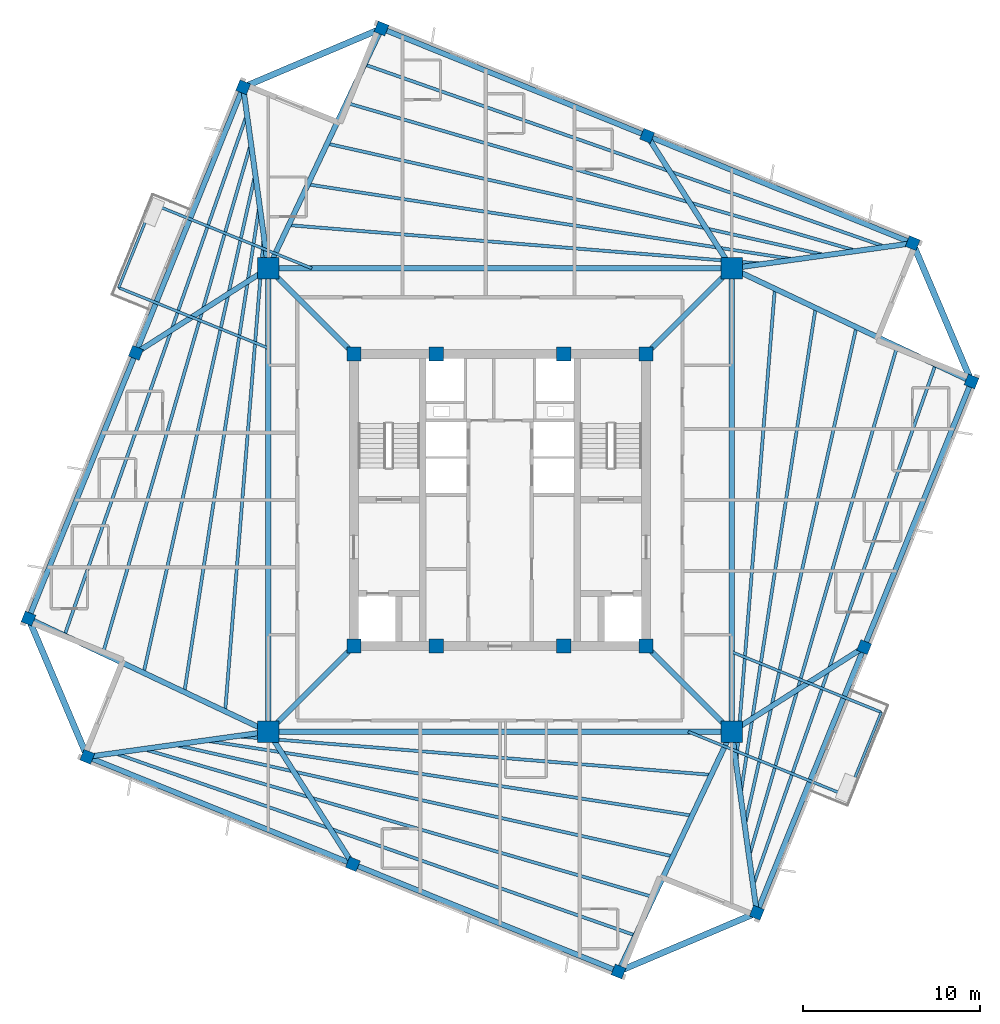
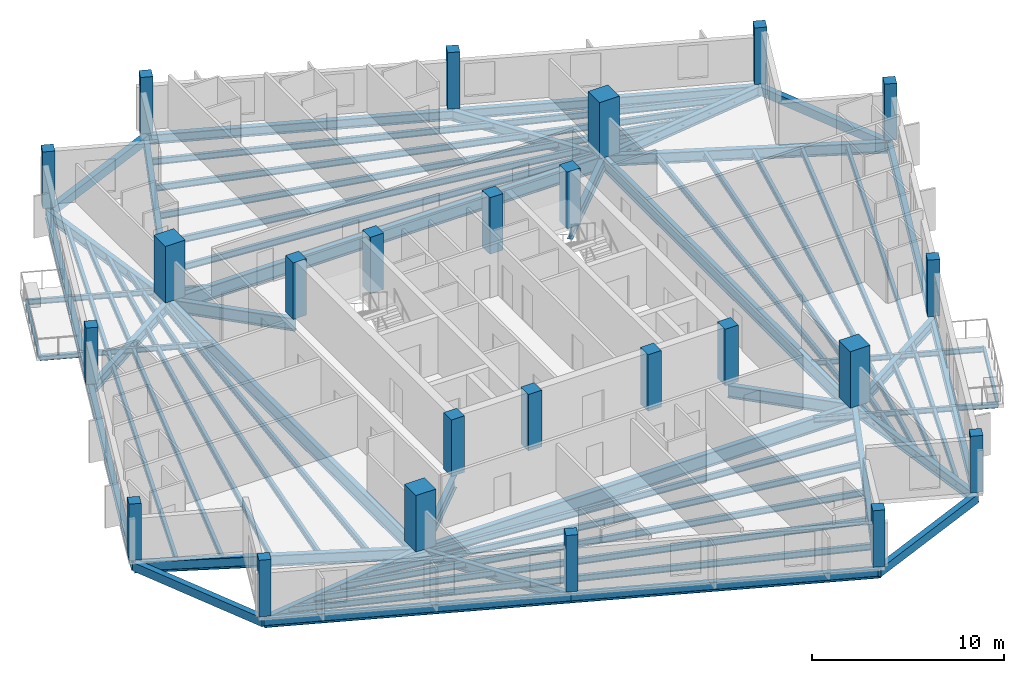
# One storey, part 1 of 9: 58 beams, 24 columns.
"""IFC4 building model written with IfcOpenShell, lengths in metres."""

from ifc_helpers import new_model, si_unit, direction, frame, origin, origin_2d, place, context, subcontext, project, spatial, rectangle, i_section, extrude, source, transform, mapped, material, material_profile, profile_set, type_object, element, save


model = new_model("IFC4")

# Units and contexts
model_context = context("Model", 3, precision=1e-05, world=origin(), true_north=direction((0.0, 1.0)))
body_context = subcontext(model_context, "Body", "Model", "MODEL_VIEW")
ifc_project = project(units=[si_unit("LENGTHUNIT", "METRE"), si_unit("AREAUNIT", "SQUARE_METRE"), si_unit("VOLUMEUNIT", "CUBIC_METRE"), si_unit("PLANEANGLEUNIT", "RADIAN"), si_unit("MASSUNIT", "GRAM", prefix="KILO"), si_unit("THERMODYNAMICTEMPERATUREUNIT", "KELVIN")], contexts=[model_context])

# Site, building, storey
site_placement = place(None, origin())
site = spatial("IfcSite", under=ifc_project, at=site_placement, CompositionType="ELEMENT")
building_placement = place(site_placement, origin())
building = spatial("IfcBuilding", under=site, at=building_placement, Name="Kosmvard Interchange Tower", CompositionType="ELEMENT")
storey_placement = place(building_placement, frame((0.0, 0.0, 283.199951171875)))
storey = spatial("IfcBuildingStorey", under=building, at=storey_placement, Name="L69", CompositionType="ELEMENT", Elevation=283.199951171875)

# Columns
ifc_material_1 = material(Name="Concrete C50/60", Category="concrete")
ifc_material_profile_1 = material_profile(ifc_material_1, rectangle(XDim=0.800048828125, YDim=0.800048828125, at=origin_2d()), Name="CP 800x800")
ifc_profile_set_1 = profile_set([ifc_material_profile_1], Name="Concrete C50/60")
column_type_1 = type_object("IfcColumnType", Name="Core Boundary Pilaster 800x800 C50/60", PredefinedType="PILASTER", material=ifc_profile_set_1)
shared_shape_1 = source(origin(), body_context, "Body", "SweptSolid", [
    extrude(rectangle(XDim=0.800048828125, YDim=0.800048828125, at=origin_2d()), origin(), (0.0, 0.0, 1.0), 3.60009765625),
])
for number, where, z_axis, x_axis, name in (
    (1, (-8.25, -8.25, 0.0), (0.0, 0.0, 1.0), (1.0, 0.0, 0.0), "L69 Core Pilaster CP1"),
    (2, (8.25, -8.25, 0.0), (0.0, 0.0, 1.0), (1.0, 0.0, 0.0), "L69 Core Pilaster CP2"),
    (3, (8.25, 8.25, 0.0), (0.0, 0.0, 1.0), (1.0, 0.0, 0.0), "L69 Core Pilaster CP3"),
    (4, (-8.25, 8.25, 0.0), (0.0, 0.0, 1.0), (1.0, 0.0, 0.0), "L69 Core Pilaster CP4"),
    (5, (-3.60009765625, -8.25, 0.0), (0.0, 0.0, 1.0), (1.0, 0.0, 0.0), "L69 Core Pilaster CP5"),
    (6, (3.60009765625, -8.25, 0.0), (0.0, 0.0, 1.0), (1.0, 0.0, 0.0), "L69 Core Pilaster CP6"),
    (7, (-3.60009765625, 8.25, 0.0), (0.0, 0.0, 1.0), (1.0, 0.0, 0.0), "L69 Core Pilaster CP7"),
    (8, (3.60009765625, 8.25, 0.0), (0.0, 0.0, 1.0), (1.0, 0.0, 0.0), "L69 Core Pilaster CP8"),
):
    element("IfcColumn", number, at=place(storey_placement, frame(where, z_axis=z_axis, x_axis=x_axis)), inside=storey, type_object=column_type_1, Name=name, PredefinedType="PILASTER", context=body_context, shape_type="MappedRepresentation", body=[
        mapped(shared_shape_1, transform((0.0, 0.0, 0.0), scale=1.0)),
    ])
ifc_material_profile_2 = material_profile(ifc_material_1, rectangle(XDim=1.199951171875, YDim=1.199951171875, at=origin_2d()), Name="MC 1200x1200")
ifc_profile_set_2 = profile_set([ifc_material_profile_2], Name="Concrete C50/60")
column_type_2 = type_object("IfcColumnType", Name="Composite Mega-Column 1200x1200 C50/60", PredefinedType="COLUMN", material=ifc_profile_set_2)
shared_shape_2 = source(origin(), body_context, "Body", "SweptSolid", [
    extrude(rectangle(XDim=1.199951171875, YDim=1.199951171875, at=origin_2d()), origin(), (0.0, 0.0, 1.0), 3.60009765625),
])
for number, where, z_axis, x_axis, name in (
    (9, (-13.0810546875, -13.0810546875, 0.0), (0.0, 0.0, 1.0), (1.0, 0.0, 0.0), "L69 Corner Mega-Column MC1"),
    (10, (13.0810546875, -13.0810546875, 0.0), (0.0, 0.0, 1.0), (1.0, 0.0, 0.0), "L69 Corner Mega-Column MC2"),
    (11, (13.0810546875, 13.0810546875, 0.0), (0.0, 0.0, 1.0), (1.0, 0.0, 0.0), "L69 Corner Mega-Column MC3"),
    (12, (-13.0810546875, 13.0810546875, 0.0), (0.0, 0.0, 1.0), (1.0, 0.0, 0.0), "L69 Corner Mega-Column MC4"),
):
    element("IfcColumn", number, at=place(storey_placement, frame(where, z_axis=z_axis, x_axis=x_axis)), inside=storey, type_object=column_type_2, Name=name, PredefinedType="COLUMN", context=body_context, shape_type="MappedRepresentation", body=[
        mapped(shared_shape_2, transform((0.0, 0.0, 0.0), scale=1.0)),
    ])
ifc_material_profile_3 = material_profile(ifc_material_1, rectangle(XDim=0.64990234375, YDim=0.64990234375, at=origin_2d()), Name="TC 650x650")
ifc_profile_set_3 = profile_set([ifc_material_profile_3], Name="Concrete C50/60")
column_type_3 = type_object("IfcColumnType", Name="Zone 5 Perimeter Pier Column 650x650 C50/60", PredefinedType="COLUMN", material=ifc_profile_set_3)
shared_shape_3 = source(origin(), body_context, "Body", "SweptSolid", [
    extrude(rectangle(XDim=0.64990234375, YDim=0.64990234375, at=origin_2d()), origin(), (0.0, 0.0, 1.0), 3.60009765625),
])
for number, where, z_axis, x_axis, name in (
    (13, (14.5009765625, -23.30419921875, 0.0), (0.0, 0.0, 1.0), (0.374606593416, 0.927183854567, 0.0), "L69 Perimeter Pier Column TC-S1"),
    (14, (20.560302734375, -8.306884765625, 0.0), (0.0, 0.0, 1.0), (0.374606593416, 0.927183854567, 0.0), "L69 Perimeter Pier Column TC-S2"),
    (15, (26.61962890625, 6.690185546875, 0.0), (0.0, 0.0, 1.0), (0.374606593416, 0.927183854567, 0.0), "L69 Perimeter Pier Column TC-S3"),
    (16, (23.30419921875, 14.5009765625, 0.0), (0.0, 0.0, 1.0), (0.374606593416, 0.927183854567, 0.0), "L69 Perimeter Pier Column TC-E1"),
    (17, (8.306884765625, 20.560302734375, 0.0), (0.0, 0.0, 1.0), (0.374606593416, 0.927183854567, 0.0), "L69 Perimeter Pier Column TC-E2"),
    (18, (-6.690185546875, 26.61962890625, 0.0), (0.0, 0.0, 1.0), (0.374606593416, 0.927183854567, 0.0), "L69 Perimeter Pier Column TC-E3"),
    (19, (-14.5009765625, 23.30419921875, 0.0), (0.0, 0.0, 1.0), (0.374606593416, 0.927183854567, 0.0), "L69 Perimeter Pier Column TC-N1"),
    (20, (-20.560302734375, 8.306884765625, 0.0), (0.0, 0.0, 1.0), (0.374606593416, 0.927183854567, 0.0), "L69 Perimeter Pier Column TC-N2"),
    (21, (-26.61962890625, -6.690185546875, 0.0), (0.0, 0.0, 1.0), (0.374606593416, 0.927183854567, 0.0), "L69 Perimeter Pier Column TC-N3"),
    (22, (-23.30419921875, -14.5009765625, 0.0), (0.0, 0.0, 1.0), (0.374606593416, 0.927183854567, 0.0), "L69 Perimeter Pier Column TC-W1"),
    (23, (-8.306884765625, -20.560302734375, 0.0), (0.0, 0.0, 1.0), (0.374606593416, 0.927183854567, 0.0), "L69 Perimeter Pier Column TC-W2"),
    (24, (6.690185546875, -26.61962890625, 0.0), (0.0, 0.0, 1.0), (0.374606593416, 0.927183854567, 0.0), "L69 Perimeter Pier Column TC-W3"),
):
    element("IfcColumn", number, at=place(storey_placement, frame(where, z_axis=z_axis, x_axis=x_axis)), inside=storey, type_object=column_type_3, Name=name, PredefinedType="COLUMN", context=body_context, shape_type="MappedRepresentation", body=[
        mapped(shared_shape_3, transform((0.0, 0.0, 0.0), scale=1.0)),
    ])

# Beams
ifc_material_2 = material(Name="Steel S355", Category="steel")
ifc_material_profile_4 = material_profile(ifc_material_2, i_section(OverallWidth=0.14990234375, OverallDepth=0.300048828125, WebThickness=0.007080078125, FlangeThickness=0.0107421875, FilletRadius=0.014892578125, at=origin_2d()), Name="IPE 300")
ifc_profile_set_4 = profile_set([ifc_material_profile_4], Name="Steel S355")
beam_type_1 = type_object("IfcBeamType", Name="Balcony Edge Header Joist IPE 300 S355", PredefinedType="JOIST", material=ifc_profile_set_4)
shared_shape_4 = source(origin(), body_context, "Body", "SweptSolid", [
    extrude(i_section(OverallWidth=0.14990234375, OverallDepth=0.300048828125, WebThickness=0.007080078125, FlangeThickness=0.0107421875, FilletRadius=0.014892578125, at=origin_2d()), origin(), (0.0, 0.0, 1.0), 5.099853515625),
])
for number, where, z_axis, x_axis, name in (
    (25, (-19.61669921875, 16.715576171875, -0.39990234375), (-0.374599188035, -0.9271868465, 0.0), (0.9271868465, -0.374599188035, 0.0), "BM-L69-BJH1"),
    (26, (19.61669921875, -16.715576171875, -0.39990234375), (0.374599188035, 0.9271868465, 0.0), (-0.9271868465, 0.374599188035, 0.0), "BM-L69-BJH2"),
):
    element("IfcBeam", number, at=place(storey_placement, frame(where, z_axis=z_axis, x_axis=x_axis)), inside=storey, type_object=beam_type_1, Name=name, PredefinedType="JOIST", context=body_context, shape_type="MappedRepresentation", body=[
        mapped(shared_shape_4, transform((0.0, 0.0, 0.0), scale=1.0)),
    ])
ifc_material_profile_5 = material_profile(ifc_material_2, i_section(OverallWidth=0.300048828125, OverallDepth=0.800048828125, WebThickness=0.017578125, FlangeThickness=0.032958984375, FilletRadius=0.027099609375, at=origin_2d()), Name="HEB 800")
ifc_profile_set_5 = profile_set([ifc_material_profile_5], Name="Steel S355")
beam_type_2 = type_object("IfcBeamType", Name="Primary Mega-Frame Girder HEB 800 S355", PredefinedType="BEAM", material=ifc_profile_set_5)
shared_shape_5 = source(origin(), body_context, "Body", "SweptSolid", [
    extrude(i_section(OverallWidth=0.300048828125, OverallDepth=0.800048828125, WebThickness=0.017578125, FlangeThickness=0.032958984375, FilletRadius=0.027099609375, at=origin_2d()), origin(), (0.0, 0.0, 1.0), 6.83203125),
])
for number, where, z_axis, x_axis, name in (
    (27, (-8.25, -8.25, -0.64990234375), (-0.707106781187, -0.707106781187, 0.0), (0.707106781187, -0.707106781187, 0.0), "L69 Radial Mega-Frame Girder 1"),
    (28, (8.25, -8.25, -0.64990234375), (0.707106781187, -0.707106781187, 0.0), (0.707106781187, 0.707106781187, 0.0), "L69 Radial Mega-Frame Girder 2"),
    (29, (8.25, 8.25, -0.64990234375), (0.707106781187, 0.707106781187, 0.0), (-0.707106781187, 0.707106781187, 0.0), "L69 Radial Mega-Frame Girder 3"),
    (30, (-8.25, 8.25, -0.64990234375), (-0.707106781187, 0.707106781187, 0.0), (-0.707106781187, -0.707106781187, 0.0), "L69 Radial Mega-Frame Girder 4"),
):
    element("IfcBeam", number, at=place(storey_placement, frame(where, z_axis=z_axis, x_axis=x_axis)), inside=storey, type_object=beam_type_2, Name=name, PredefinedType="BEAM", context=body_context, shape_type="MappedRepresentation", body=[
        mapped(shared_shape_5, transform((0.0, 0.0, 0.0), scale=1.0)),
    ])
ifc_material_profile_6 = material_profile(ifc_material_2, i_section(OverallWidth=0.300048828125, OverallDepth=0.89990234375, WebThickness=0.0185546875, FlangeThickness=0.034912109375, FilletRadius=0.030029296875, at=origin_2d()), Name="HEB 900")
ifc_profile_set_6 = profile_set([ifc_material_profile_6], Name="Steel S355")
beam_type_3 = type_object("IfcBeamType", Name="Mega-Column Ring Girder HEB 900 S355", PredefinedType="BEAM", material=ifc_profile_set_6)
shared_shape_6 = source(origin(), body_context, "Body", "SweptSolid", [
    extrude(i_section(OverallWidth=0.300048828125, OverallDepth=0.89990234375, WebThickness=0.0185546875, FlangeThickness=0.034912109375, FilletRadius=0.030029296875, at=origin_2d()), origin(), (0.0, 0.0, 1.0), 26.162109375),
])
for number, where, z_axis, x_axis, name in (
    (31, (-13.0810546875, -13.0810546875, -0.699951171875), (1.0, 0.0, 0.0), (0.0, 1.0, 0.0), "L69 Mega-Column Ring Girder 1"),
    (32, (13.0810546875, -13.0810546875, -0.699951171875), (0.0, 1.0, 0.0), (-1.0, 0.0, 0.0), "L69 Mega-Column Ring Girder 2"),
    (33, (13.0810546875, 13.0810546875, -0.699951171875), (-1.0, 0.0, 0.0), (0.0, -1.0, 0.0), "L69 Mega-Column Ring Girder 3"),
    (34, (-13.0810546875, 13.0810546875, -0.699951171875), (0.0, -1.0, 0.0), (1.0, 0.0, 0.0), "L69 Mega-Column Ring Girder 4"),
):
    element("IfcBeam", number, at=place(storey_placement, frame(where, z_axis=z_axis, x_axis=x_axis)), inside=storey, type_object=beam_type_3, Name=name, PredefinedType="BEAM", context=body_context, shape_type="MappedRepresentation", body=[
        mapped(shared_shape_6, transform((0.0, 0.0, 0.0), scale=1.0)),
    ])
ifc_material_profile_7 = material_profile(ifc_material_2, i_section(OverallWidth=0.300048828125, OverallDepth=0.60009765625, WebThickness=0.015380859375, FlangeThickness=0.030029296875, FilletRadius=0.027099609375, at=origin_2d()), Name="HEB 600")
ifc_profile_set_7 = profile_set([ifc_material_profile_7], Name="Steel S355")
beam_type_4 = type_object("IfcBeamType", Name="Perimeter Tie Girder HEB 600 S355", PredefinedType="BEAM", material=ifc_profile_set_7)
shared_shape_7 = source(origin(), body_context, "Body", "SweptSolid", [
    extrude(i_section(OverallWidth=0.300048828125, OverallDepth=0.60009765625, WebThickness=0.015380859375, FlangeThickness=0.030029296875, FilletRadius=0.027099609375, at=origin_2d()), origin(), (0.0, 0.0, 1.0), 16.175048828125),
])
for number, where, z_axis, x_axis, name in (
    (35, (14.5009765625, -23.30419921875, -0.550048828125), (0.374607540279, 0.927183472009, 0.0), (-0.927183472009, 0.374607540279, 0.0), "BM-L69-PR01"),
    (36, (23.30419921875, 14.5009765625, -0.550048828125), (-0.927183472009, 0.374607540279, 0.0), (-0.374607540279, -0.927183472009, 0.0), "BM-L69-PR04"),
    (37, (-14.5009765625, 23.30419921875, -0.550048828125), (-0.374607540279, -0.927183472009, 0.0), (0.927183472009, -0.374607540279, 0.0), "BM-L69-PR07"),
    (38, (-23.30419921875, -14.5009765625, -0.550048828125), (0.927183472009, -0.374607540279, 0.0), (0.374607540279, 0.927183472009, 0.0), "BM-L69-PR10"),
):
    element("IfcBeam", number, at=place(storey_placement, frame(where, z_axis=z_axis, x_axis=x_axis)), inside=storey, type_object=beam_type_4, Name=name, PredefinedType="BEAM", context=body_context, shape_type="MappedRepresentation", body=[
        mapped(shared_shape_7, transform((0.0, 0.0, 0.0), scale=1.0)),
    ])
ifc_material_profile_8 = material_profile(ifc_material_2, i_section(OverallWidth=0.300048828125, OverallDepth=0.64990234375, WebThickness=0.01611328125, FlangeThickness=0.031005859375, FilletRadius=0.027099609375, at=origin_2d()), Name="HEB 650")
ifc_profile_set_8 = profile_set([ifc_material_profile_8], Name="Steel S355")
beam_type_5 = type_object("IfcBeamType", Name="Primary Floor Girder HEB 650 S355", PredefinedType="BEAM", material=ifc_profile_set_8)
shared_shape_8 = source(origin(), body_context, "Body", "SweptSolid", [
    extrude(i_section(OverallWidth=0.300048828125, OverallDepth=0.64990234375, WebThickness=0.01611328125, FlangeThickness=0.031005859375, FilletRadius=0.027099609375, at=origin_2d()), origin(), (0.0, 0.0, 1.0), 10.3212890625),
])
for number, where, z_axis, x_axis, name in (
    (39, (13.0810546875, -13.0810546875, -0.574951171875), (0.137572239014, -0.990491735984, 0.0), (0.990491735984, 0.137572239014, 0.0), "BM-L69-RD01"),
    (40, (13.0810546875, 13.0810546875, -0.574951171875), (0.990491735984, 0.137572239014, 0.0), (-0.137572239014, 0.990491735984, 0.0), "BM-L69-RD04"),
    (41, (-13.0810546875, 13.0810546875, -0.574951171875), (-0.137572239014, 0.990491735984, 0.0), (-0.990491735984, -0.137572239014, 0.0), "BM-L69-RD07"),
    (42, (-13.0810546875, -13.0810546875, -0.574951171875), (-0.990491735984, -0.137572239014, 0.0), (0.137572239014, -0.990491735984, 0.0), "BM-L69-RD10"),
):
    element("IfcBeam", number, at=place(storey_placement, frame(where, z_axis=z_axis, x_axis=x_axis)), inside=storey, type_object=beam_type_5, Name=name, PredefinedType="BEAM", context=body_context, shape_type="MappedRepresentation", body=[
        mapped(shared_shape_8, transform((0.0, 0.0, 0.0), scale=1.0)),
    ])
shared_shape_9 = source(origin(), body_context, "Body", "SweptSolid", [
    extrude(i_section(OverallWidth=0.300048828125, OverallDepth=0.60009765625, WebThickness=0.015380859375, FlangeThickness=0.030029296875, FilletRadius=0.027099609375, at=origin_2d()), origin(), (0.0, 0.0, 1.0), 16.1748046875),
])
for number, where, z_axis, x_axis, name in (
    (43, (20.560302734375, -8.306884765625, -0.550048828125), (0.374612782798, 0.92718135387, 0.0), (-0.92718135387, 0.374612782798, 0.0), "BM-L69-PR02"),
    (44, (8.306884765625, 20.560302734375, -0.550048828125), (-0.92718135387, 0.374612782798, 0.0), (-0.374612782798, -0.92718135387, 0.0), "BM-L69-PR05"),
    (45, (-20.560302734375, 8.306884765625, -0.550048828125), (-0.374612782798, -0.92718135387, 0.0), (0.92718135387, -0.374612782798, 0.0), "BM-L69-PR08"),
    (46, (-8.306884765625, -20.560302734375, -0.550048828125), (0.92718135387, -0.374612782798, 0.0), (0.374612782798, 0.92718135387, 0.0), "BM-L69-PR11"),
):
    element("IfcBeam", number, at=place(storey_placement, frame(where, z_axis=z_axis, x_axis=x_axis)), inside=storey, type_object=beam_type_4, Name=name, PredefinedType="BEAM", context=body_context, shape_type="MappedRepresentation", body=[
        mapped(shared_shape_9, transform((0.0, 0.0, 0.0), scale=1.0)),
    ])
shared_shape_10 = source(origin(), body_context, "Body", "SweptSolid", [
    extrude(i_section(OverallWidth=0.300048828125, OverallDepth=0.64990234375, WebThickness=0.01611328125, FlangeThickness=0.031005859375, FilletRadius=0.027099609375, at=origin_2d()), origin(), (0.0, 0.0, 1.0), 8.873046875),
])
for number, where, z_axis, x_axis, name in (
    (47, (13.0810546875, -13.0810546875, -0.574951171875), (0.842912916934, 0.538050011119, 0.0), (-0.538050011119, 0.842912916934, 0.0), "BM-L69-RD02"),
    (48, (13.0810546875, 13.0810546875, -0.574951171875), (-0.538050011119, 0.842912916934, 0.0), (-0.842912916934, -0.538050011119, 0.0), "BM-L69-RD05"),
    (49, (-13.0810546875, 13.0810546875, -0.574951171875), (-0.842912916934, -0.538050011119, 0.0), (0.538050011119, -0.842912916934, 0.0), "BM-L69-RD08"),
    (50, (-13.0810546875, -13.0810546875, -0.574951171875), (0.538050011119, -0.842912916934, 0.0), (0.842912916934, 0.538050011119, 0.0), "BM-L69-RD11"),
):
    element("IfcBeam", number, at=place(storey_placement, frame(where, z_axis=z_axis, x_axis=x_axis)), inside=storey, type_object=beam_type_5, Name=name, PredefinedType="BEAM", context=body_context, shape_type="MappedRepresentation", body=[
        mapped(shared_shape_10, transform((0.0, 0.0, 0.0), scale=1.0)),
    ])
ifc_material_3 = material(Name="Precast concrete C45/55", Category="concrete")
ifc_material_profile_9 = material_profile(ifc_material_3, rectangle(XDim=0.35009765625, YDim=0.550048828125, at=origin_2d()), Name="SL 350x550")
ifc_profile_set_9 = profile_set([ifc_material_profile_9], Name="Precast concrete C45/55")
beam_type_6 = type_object("IfcBeamType", Name="Precast Spandrel Lintel 350x550 C45/55", PredefinedType="LINTEL", material=ifc_profile_set_9)
shared_shape_11 = source(origin(), body_context, "Body", "SweptSolid", [
    extrude(rectangle(XDim=0.35009765625, YDim=0.550048828125, at=origin_2d()), origin(), (0.0, 0.0, 1.0), 8.4853515625),
])
for number, where, z_axis, x_axis, name in (
    (51, (26.61962890625, 6.690185546875, -0.52490234375), (-0.390725696857, 0.920507159025, 0.0), (-0.920507159025, -0.390725696857, 0.0), "BM-L69-SL1"),
    (52, (-6.690185546875, 26.61962890625, -0.52490234375), (-0.920507159025, -0.390725696857, 0.0), (0.390725696857, -0.920507159025, 0.0), "BM-L69-SL2"),
    (53, (-26.61962890625, -6.690185546875, -0.52490234375), (0.390725696857, -0.920507159025, 0.0), (0.920507159025, 0.390725696857, 0.0), "BM-L69-SL3"),
    (54, (6.690185546875, -26.61962890625, -0.52490234375), (0.920507159025, 0.390725696857, 0.0), (-0.390725696857, 0.920507159025, 0.0), "BM-L69-SL4"),
):
    element("IfcBeam", number, at=place(storey_placement, frame(where, z_axis=z_axis, x_axis=x_axis)), inside=storey, type_object=beam_type_6, Name=name, PredefinedType="LINTEL", context=body_context, shape_type="MappedRepresentation", body=[
        mapped(shared_shape_11, transform((0.0, 0.0, 0.0), scale=1.0)),
    ])
ifc_material_profile_10 = material_profile(ifc_material_2, i_section(OverallWidth=0.300048828125, OverallDepth=0.699951171875, WebThickness=0.01708984375, FlangeThickness=0.031982421875, FilletRadius=0.027099609375, at=origin_2d()), Name="HEB 700")
ifc_profile_set_10 = profile_set([ifc_material_profile_10], Name="Steel S355")
beam_type_7 = type_object("IfcBeamType", Name="Primary Floor Girder HEB 700 S355", PredefinedType="BEAM", material=ifc_profile_set_10)
shared_shape_12 = source(origin(), body_context, "Body", "SweptSolid", [
    extrude(i_section(OverallWidth=0.300048828125, OverallDepth=0.699951171875, WebThickness=0.01708984375, FlangeThickness=0.031982421875, FilletRadius=0.027099609375, at=origin_2d()), origin(), (0.0, 0.0, 1.0), 14.97119140625),
])
for number, where, z_axis, x_axis, name in (
    (55, (13.0810546875, 13.0810546875, -0.599853515625), (0.904309155001, -0.426878146761, 0.0), (0.426878146761, 0.904309155001, 0.0), "BM-L69-RD03"),
    (56, (-13.0810546875, 13.0810546875, -0.599853515625), (0.426878146761, 0.904309155001, 0.0), (-0.904309155001, 0.426878146761, 0.0), "BM-L69-RD06"),
    (57, (-13.0810546875, -13.0810546875, -0.599853515625), (-0.904309155001, 0.426878146761, 0.0), (-0.426878146761, -0.904309155001, 0.0), "BM-L69-RD09"),
    (58, (13.0810546875, -13.0810546875, -0.599853515625), (-0.426878146761, -0.904309155001, 0.0), (0.904309155001, -0.426878146761, 0.0), "BM-L69-RD12"),
):
    element("IfcBeam", number, at=place(storey_placement, frame(where, z_axis=z_axis, x_axis=x_axis)), inside=storey, type_object=beam_type_7, Name=name, PredefinedType="BEAM", context=body_context, shape_type="MappedRepresentation", body=[
        mapped(shared_shape_12, transform((0.0, 0.0, 0.0), scale=1.0)),
    ])
ifc_material_profile_11 = material_profile(ifc_material_2, i_section(OverallWidth=0.179931640625, OverallDepth=0.39990234375, WebThickness=0.008544921875, FlangeThickness=0.013427734375, FilletRadius=0.02099609375, at=origin_2d()), Name="IPE 400")
ifc_profile_set_11 = profile_set([ifc_material_profile_11], Name="Steel S355")
beam_type_8 = type_object("IfcBeamType", Name="Upper-Zone Floor Joist IPE 400 S355", PredefinedType="JOIST", material=ifc_profile_set_11)
shared_shape_13 = source(origin(), body_context, "Body", "SweptSolid", [
    extrude(i_section(OverallWidth=0.179931640625, OverallDepth=0.39990234375, WebThickness=0.008544921875, FlangeThickness=0.013427734375, FilletRadius=0.02099609375, at=origin_2d()), origin(), (0.0, 0.0, 1.0), 26.780029296875),
])
for number, where, z_axis, x_axis, name in (
    (59, (13.343017578125, -14.84130859375, -0.449951171875), (0.080972773487, 0.996716313679, 0.0), (-0.996716313679, 0.080972773487, 0.0), "BM-L69-FJ01"),
    (60, (14.84130859375, 13.343017578125, -0.449951171875), (-0.996716313679, 0.080972773487, 0.0), (-0.080972773487, -0.996716313679, 0.0), "BM-L69-FJ06"),
    (61, (-13.343017578125, 14.84130859375, -0.449951171875), (-0.080972773487, -0.996716313679, 0.0), (0.996716313679, -0.080972773487, 0.0), "BM-L69-FJ11"),
    (62, (-14.84130859375, -13.343017578125, -0.449951171875), (0.996716313679, -0.080972773487, 0.0), (0.080972773487, 0.996716313679, 0.0), "BM-L69-FJ16"),
):
    element("IfcBeam", number, at=place(storey_placement, frame(where, z_axis=z_axis, x_axis=x_axis)), inside=storey, type_object=beam_type_8, Name=name, PredefinedType="JOIST", context=body_context, shape_type="MappedRepresentation", body=[
        mapped(shared_shape_13, transform((0.0, 0.0, 0.0), scale=1.0)),
    ])
shared_shape_14 = source(origin(), body_context, "Body", "SweptSolid", [
    extrude(i_section(OverallWidth=0.179931640625, OverallDepth=0.39990234375, WebThickness=0.008544921875, FlangeThickness=0.013427734375, FilletRadius=0.02099609375, at=origin_2d()), origin(), (0.0, 0.0, 1.0), 27.66845703125),
])
for number, where, z_axis, x_axis, name in (
    (63, (13.590087890625, -16.580078125, -0.449951171875), (0.152421855854, 0.988315525456, 0.0), (-0.988315525456, 0.152421855854, 0.0), "BM-L69-FJ02"),
    (64, (16.580078125, 13.590087890625, -0.449951171875), (-0.988315525456, 0.152421855854, 0.0), (-0.152421855854, -0.988315525456, 0.0), "BM-L69-FJ07"),
    (65, (-13.590087890625, 16.580078125, -0.449951171875), (-0.152421855854, -0.988315525456, 0.0), (0.988315525456, -0.152421855854, 0.0), "BM-L69-FJ12"),
    (66, (-16.580078125, -13.590087890625, -0.449951171875), (0.988315525456, -0.152421855854, 0.0), (0.152421855854, 0.988315525456, 0.0), "BM-L69-FJ17"),
):
    element("IfcBeam", number, at=place(storey_placement, frame(where, z_axis=z_axis, x_axis=x_axis)), inside=storey, type_object=beam_type_8, Name=name, PredefinedType="JOIST", context=body_context, shape_type="MappedRepresentation", body=[
        mapped(shared_shape_14, transform((0.0, 0.0, 0.0), scale=1.0)),
    ])
shared_shape_15 = source(origin(), body_context, "Body", "SweptSolid", [
    extrude(i_section(OverallWidth=0.179931640625, OverallDepth=0.39990234375, WebThickness=0.008544921875, FlangeThickness=0.013427734375, FilletRadius=0.02099609375, at=origin_2d()), origin(), (0.0, 0.0, 1.0), 28.691162109375),
])
for number, where, z_axis, x_axis, name in (
    (67, (13.8369140625, -18.31884765625, -0.449951171875), (0.218415018158, 0.975855972899, 0.0), (-0.975855972899, 0.218415018158, 0.0), "BM-L69-FJ03"),
    (68, (18.31884765625, 13.8369140625, -0.449951171875), (-0.975855972899, 0.218415018158, 0.0), (-0.218415018158, -0.975855972899, 0.0), "BM-L69-FJ08"),
    (69, (-13.8369140625, 18.31884765625, -0.449951171875), (-0.218415018158, -0.975855972899, 0.0), (0.975855972899, -0.218415018158, 0.0), "BM-L69-FJ13"),
    (70, (-18.31884765625, -13.8369140625, -0.449951171875), (0.975855972899, -0.218415018158, 0.0), (0.218415018158, 0.975855972899, 0.0), "BM-L69-FJ18"),
):
    element("IfcBeam", number, at=place(storey_placement, frame(where, z_axis=z_axis, x_axis=x_axis)), inside=storey, type_object=beam_type_8, Name=name, PredefinedType="JOIST", context=body_context, shape_type="MappedRepresentation", body=[
        mapped(shared_shape_15, transform((0.0, 0.0, 0.0), scale=1.0)),
    ])
shared_shape_16 = source(origin(), body_context, "Body", "SweptSolid", [
    extrude(i_section(OverallWidth=0.179931640625, OverallDepth=0.39990234375, WebThickness=0.008544921875, FlangeThickness=0.013427734375, FilletRadius=0.02099609375, at=origin_2d()), origin(), (0.0, 0.0, 1.0), 29.83544921875),
])
for number, where, z_axis, x_axis, name in (
    (71, (14.0830078125, -20.05810546875, -0.449951171875), (0.27877586881, 0.960356191717, 0.0), (-0.960356191717, 0.27877586881, 0.0), "BM-L69-FJ04"),
    (72, (20.05810546875, 14.0830078125, -0.449951171875), (-0.960356191717, 0.27877586881, 0.0), (-0.27877586881, -0.960356191717, 0.0), "BM-L69-FJ09"),
    (73, (-14.0830078125, 20.05810546875, -0.449951171875), (-0.27877586881, -0.960356191717, 0.0), (0.960356191717, -0.27877586881, 0.0), "BM-L69-FJ14"),
    (74, (-20.05810546875, -14.0830078125, -0.449951171875), (0.960356191717, -0.27877586881, 0.0), (0.27877586881, 0.960356191717, 0.0), "BM-L69-FJ19"),
):
    element("IfcBeam", number, at=place(storey_placement, frame(where, z_axis=z_axis, x_axis=x_axis)), inside=storey, type_object=beam_type_8, Name=name, PredefinedType="JOIST", context=body_context, shape_type="MappedRepresentation", body=[
        mapped(shared_shape_16, transform((0.0, 0.0, 0.0), scale=1.0)),
    ])
shared_shape_17 = source(origin(), body_context, "Body", "SweptSolid", [
    extrude(i_section(OverallWidth=0.179931640625, OverallDepth=0.39990234375, WebThickness=0.008544921875, FlangeThickness=0.013427734375, FilletRadius=0.02099609375, at=origin_2d()), origin(), (0.0, 0.0, 1.0), 31.0107421875),
])
for number, where, z_axis, x_axis, name in (
    (75, (14.314453125, -21.695068359375, -0.449951171875), (0.330459834828, 0.943820055713, 0.0), (-0.943820055713, 0.330459834828, 0.0), "BM-L69-FJ05"),
    (76, (21.695068359375, 14.314453125, -0.449951171875), (-0.943820055713, 0.330459834828, 0.0), (-0.330459834828, -0.943820055713, 0.0), "BM-L69-FJ10"),
    (77, (-14.314453125, 21.695068359375, -0.449951171875), (-0.330459834828, -0.943820055713, 0.0), (0.943820055713, -0.330459834828, 0.0), "BM-L69-FJ15"),
    (78, (-21.695068359375, -14.314453125, -0.449951171875), (0.943820055713, -0.330459834828, 0.0), (0.330459834828, 0.943820055713, 0.0), "BM-L69-FJ20"),
):
    element("IfcBeam", number, at=place(storey_placement, frame(where, z_axis=z_axis, x_axis=x_axis)), inside=storey, type_object=beam_type_8, Name=name, PredefinedType="JOIST", context=body_context, shape_type="MappedRepresentation", body=[
        mapped(shared_shape_17, transform((0.0, 0.0, 0.0), scale=1.0)),
    ])
ifc_material_profile_12 = material_profile(ifc_material_2, i_section(OverallWidth=0.159912109375, OverallDepth=0.330078125, WebThickness=0.007568359375, FlangeThickness=0.011474609375, FilletRadius=0.01806640625, at=origin_2d()), Name="IPE 330")
ifc_profile_set_12 = profile_set([ifc_material_profile_12], Name="Steel S355")
beam_type_9 = type_object("IfcBeamType", Name="Balcony Cantilever Joist IPE 330 S355", PredefinedType="JOIST", material=ifc_profile_set_12)
shared_shape_18 = source(origin(), body_context, "Body", "SweptSolid", [
    extrude(i_section(OverallWidth=0.159912109375, OverallDepth=0.330078125, WebThickness=0.007568359375, FlangeThickness=0.011474609375, FilletRadius=0.01806640625, at=origin_2d()), origin(), (0.0, 0.0, 1.0), 9.702880859375),
])
for number, where, z_axis, x_axis, name in (
    (79, (-10.620361328125, 13.0810546875, -0.4150390625), (-0.927192265168, 0.374585775775, 0.0), (-0.374585775775, -0.927192265168, 0.0), "BM-L69-BJ1"),
    (80, (10.620361328125, -13.0810546875, -0.4150390625), (0.927192265168, -0.374585775775, 0.0), (0.374585775775, 0.927192265168, 0.0), "BM-L69-BJ2"),
):
    element("IfcBeam", number, at=place(storey_placement, frame(where, z_axis=z_axis, x_axis=x_axis)), inside=storey, type_object=beam_type_9, Name=name, PredefinedType="JOIST", context=body_context, shape_type="MappedRepresentation", body=[
        mapped(shared_shape_18, transform((0.0, 0.0, 0.0), scale=1.0)),
    ])
shared_shape_19 = source(origin(), body_context, "Body", "SweptSolid", [
    extrude(i_section(OverallWidth=0.159912109375, OverallDepth=0.330078125, WebThickness=0.007568359375, FlangeThickness=0.011474609375, FilletRadius=0.01806640625, at=origin_2d()), origin(), (0.0, 0.0, 1.0), 9.109375),
])
for number, where, z_axis, x_axis, name in (
    (81, (-13.0810546875, 8.57470703125, -0.4150390625), (-0.927186528809, 0.374599974365, 0.0), (-0.374599974365, -0.927186528809, 0.0), "BM-L69-BJB1"),
    (82, (13.0810546875, -8.57470703125, -0.4150390625), (0.927186528809, -0.374599974365, 0.0), (0.374599974365, 0.927186528809, 0.0), "BM-L69-BJB2"),
):
    element("IfcBeam", number, at=place(storey_placement, frame(where, z_axis=z_axis, x_axis=x_axis)), inside=storey, type_object=beam_type_9, Name=name, PredefinedType="JOIST", context=body_context, shape_type="MappedRepresentation", body=[
        mapped(shared_shape_19, transform((0.0, 0.0, 0.0), scale=1.0)),
    ])

save(model, "model.ifc")
